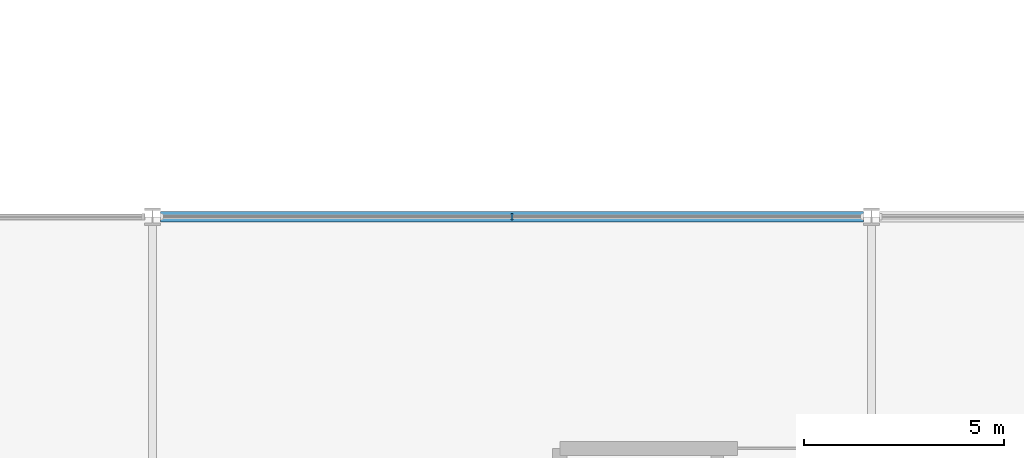
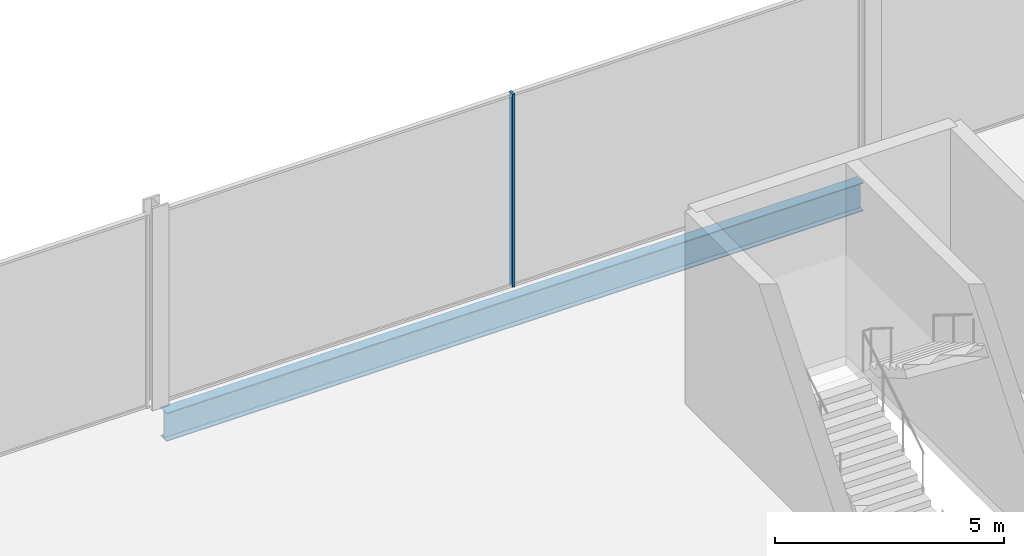
# One storey, part 25 of 111: 1 beam, 1 member, 1 element without a shape of its own.
"""IFC4 building model written with IfcOpenShell, lengths in metres."""

from ifc_helpers import new_model, si_unit, direction, frame, origin, origin_2d, place, context, subcontext, project, spatial, rectangle, i_section, extrude, material, layer, layer_set, material_profile, profile_set, type_object, element, aggregate, save


model = new_model("IFC4")

# Units and contexts
model_context = context("Model", 3, precision=1e-05, world=origin(), true_north=direction((0.0, 1.0)))
body_context = subcontext(model_context, "Body", "Model", "MODEL_VIEW")
ifc_project = project(units=[si_unit("LENGTHUNIT", "METRE"), si_unit("AREAUNIT", "SQUARE_METRE"), si_unit("VOLUMEUNIT", "CUBIC_METRE"), si_unit("PLANEANGLEUNIT", "RADIAN"), si_unit("MASSUNIT", "GRAM", prefix="KILO")], contexts=[model_context])

# Site, building, storey
site_placement = place(None, origin())
site = spatial("IfcSite", under=ifc_project, at=site_placement, CompositionType="ELEMENT")
building_placement = place(site_placement, origin())
building = spatial("IfcBuilding", under=site, at=building_placement, Name="Kisiwana Market Hall", CompositionType="ELEMENT")
storey_placement = place(building_placement, frame((0.0, 0.0, 11.39990234375)))
storey = spatial("IfcBuildingStorey", under=building, at=storey_placement, Name="L02", CompositionType="ELEMENT", Elevation=11.39990234375)

# Beam
ifc_material_1 = material(Name="Steel S355", Category="steel")
ifc_material_profile_1 = material_profile(ifc_material_1, i_section(OverallWidth=0.2666015625, OverallDepth=0.76220703125, WebThickness=0.014404296875, FlangeThickness=0.021484375, at=origin_2d()), Name="UB 762x267x173")
ifc_profile_set_1 = profile_set([ifc_material_profile_1], Name="Steel S355")
beam_type = type_object("IfcBeamType", Name="BM-GIRD-UB762", PredefinedType="BEAM", material=ifc_profile_set_1)
beam_placement = place(storey_placement, frame((117.201904296875, 36.0, -0.631103515625), z_axis=(1.0, 0.0, 0.0), x_axis=(0.0, 1.0, 0.0)))
element("IfcBeam", 1, at=beam_placement, inside=storey, type_object=beam_type, Name="Floor beam B-0765", PredefinedType="BEAM", context=body_context, shape_type="SweptSolid", body=[
    extrude(i_section(OverallWidth=0.2666015625, OverallDepth=0.76220703125, WebThickness=0.014404296875, FlangeThickness=0.021484375, at=origin_2d()), origin(), (0.0, 0.0, 1.0), 17.59619140625),
])

# Curtain wall, member
ifc_material_2 = material(Name="Double-glazed solar-control low-E IGU", Category="glass")
ifc_layer = layer(ifc_material_2, 0.159912109375)
ifc_layer_set = layer_set([ifc_layer], Name="CW-GLD-E-7200")
curtain_wall_type = type_object("IfcCurtainWallType", Name="CW-GLD-E-7200", PredefinedType="USERDEFINED", material=ifc_layer_set)
curtain_wall_placement = place(storey_placement, origin())
curtain_wall = element("IfcCurtainWall", 2, at=curtain_wall_placement, inside=storey, type_object=curtain_wall_type, Name="Unitised curtain wall CW-069 (L02)", ObjectType="UNITISED CURTAIN WALL", PredefinedType="USERDEFINED")
ifc_material_3 = material(Name="Aluminium alloy 6063-T6", Category="aluminium")
ifc_material_profile_2 = material_profile(ifc_material_3, rectangle(XDim=0.06005859375, YDim=0.159912109375, at=origin_2d()), Name="ALU MULLION 60x160")
ifc_profile_set_2 = profile_set([ifc_material_profile_2], Name="Aluminium alloy 6063-T6")
member_type = type_object("IfcMemberType", Name="CW-MULL-60x160", PredefinedType="MULLION", material=ifc_profile_set_2)
member_placement = place(storey_placement, frame((126.0, 36.0, 0.0), z_axis=(0.0, 0.0, 1.0), x_axis=(1.0, 0.0, 0.0)))
member = element("IfcMember", 3, at=member_placement, type_object=member_type, Name="CW-069 mullion 2", PredefinedType="MULLION", context=body_context, shape_type="SweptSolid", body=[
    extrude(rectangle(XDim=0.06005859375, YDim=0.159912109375, at=origin_2d()), origin(), (0.0, 0.0, 1.0), 5.150146484375),
])
aggregate(curtain_wall, [member])

save(model, "model.ifc")
